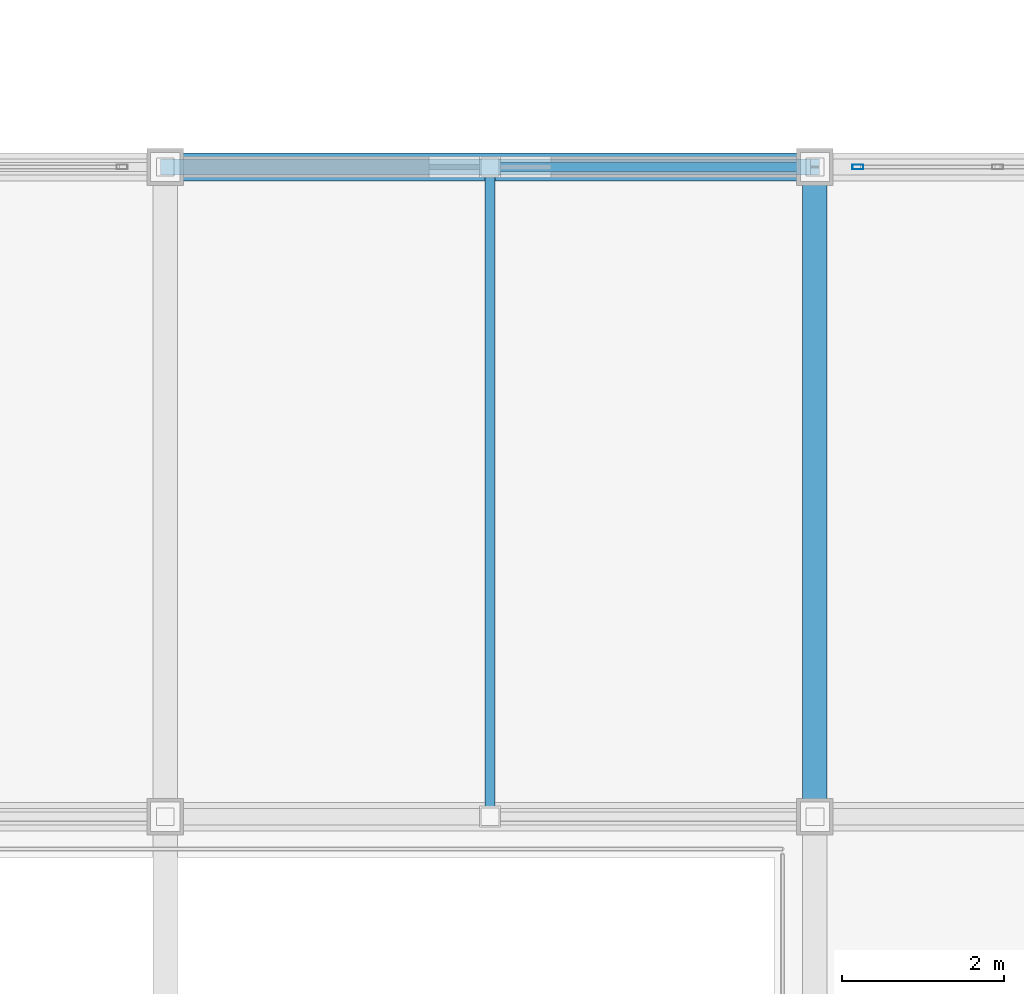
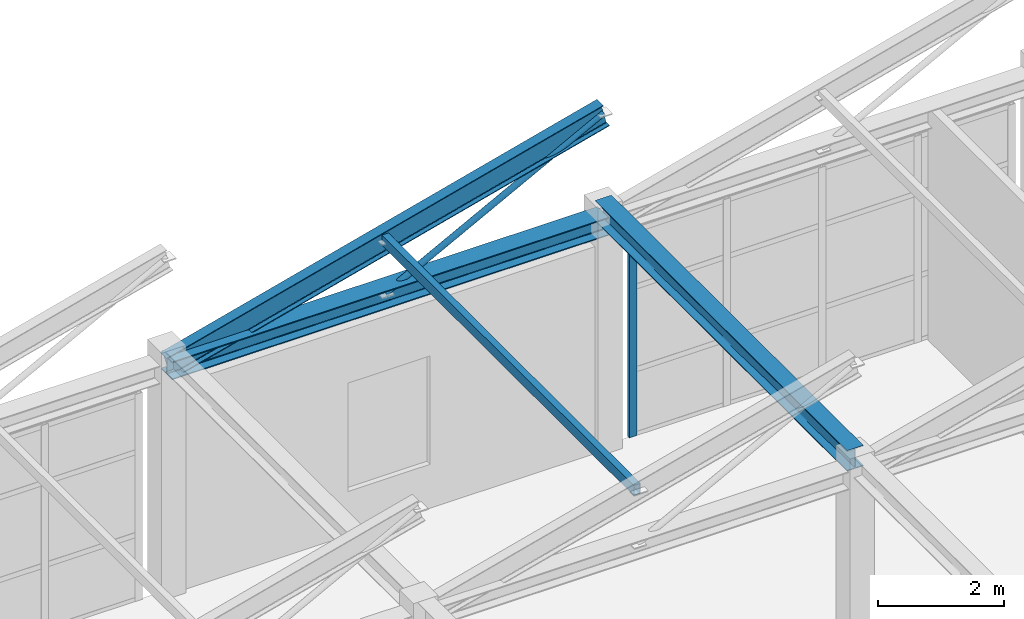
# One storey, part 4 of 63: 4 members, 2 beams, 1 element without a shape of its own.
"""IFC4 building model written with IfcOpenShell, lengths in metres."""

from ifc_helpers import new_model, si_unit, direction, frame, origin, origin_2d, place, context, subcontext, project, spatial, hollow_rectangle, hollow_circle, i_section, extrude, material, layer, layer_set, material_profile, profile_set, type_object, element, aggregate, save


model = new_model("IFC4")

# Units and contexts
model_context = context("Model", 3, precision=1e-05, world=origin(), true_north=direction((0.0, 1.0)))
body_context = subcontext(model_context, "Body", "Model", "MODEL_VIEW")
ifc_project = project(units=[si_unit("LENGTHUNIT", "METRE"), si_unit("AREAUNIT", "SQUARE_METRE"), si_unit("VOLUMEUNIT", "CUBIC_METRE"), si_unit("PLANEANGLEUNIT", "RADIAN"), si_unit("MASSUNIT", "GRAM", prefix="KILO")], contexts=[model_context])

# Site, building, storey
site_placement = place(None, origin())
site = spatial("IfcSite", under=ifc_project, at=site_placement, CompositionType="ELEMENT")
building_placement = place(site_placement, origin())
building = spatial("IfcBuilding", under=site, at=building_placement, Name="Canggui Botanical Conservatory", CompositionType="ELEMENT")
storey_placement = place(building_placement, frame((0.0, 0.0, 10.199951171875)))
storey = spatial("IfcBuildingStorey", under=building, at=storey_placement, Name="L03", CompositionType="ELEMENT", Elevation=10.199951171875)

# Beams
ifc_material_1 = material(Name="Steel Q355B", Category="steel")
ifc_material_profile_1 = material_profile(ifc_material_1, i_section(OverallWidth=0.300048828125, OverallDepth=0.39990234375, WebThickness=0.010009765625, FlangeThickness=0.01611328125, FilletRadius=0.02197265625, at=origin_2d()), Name="HM 400x300x10x16")
ifc_profile_set_1 = profile_set([ifc_material_profile_1], Name="Steel Q355B")
beam_type_1 = type_object("IfcBeamType", Name="BM-GL03", PredefinedType="BEAM", material=ifc_profile_set_1)
beam_1_placement = place(storey_placement, frame((50.0, 26.0, 4.60009765625), z_axis=(0.0, 1.0, 0.0), x_axis=(-1.0, 0.0, 0.0)))
element("IfcBeam", 1, at=beam_1_placement, inside=storey, type_object=beam_type_1, Name="Visitor Clerestory Support Girder 3-3", PredefinedType="BEAM", context=body_context, shape_type="SweptSolid", body=[
    extrude(i_section(OverallWidth=0.300048828125, OverallDepth=0.39990234375, WebThickness=0.010009765625, FlangeThickness=0.01611328125, FilletRadius=0.02197265625, at=origin_2d()), origin(), (0.0, 0.0, 1.0), 8.0),
])
ifc_material_profile_2 = material_profile(ifc_material_1, i_section(OverallWidth=0.199951171875, OverallDepth=0.449951171875, WebThickness=0.009033203125, FlangeThickness=0.013916015625, FilletRadius=0.01806640625, at=origin_2d()), Name="HN 450x200x9x14")
ifc_profile_set_2 = profile_set([ifc_material_profile_2], Name="Steel Q355B")
beam_type_2 = type_object("IfcBeamType", Name="BM-GL07", PredefinedType="BEAM", material=ifc_profile_set_2)
beam_2_placement = place(storey_placement, frame((42.0, 34.0, 4.35009765625), z_axis=(0.967235314575, 0.0, 0.253881559468), x_axis=(0.0, 1.0, 0.0)))
element("IfcBeam", 2, at=beam_2_placement, inside=storey, type_object=beam_type_2, Name="Visitor Sawtooth Steel Rafter 3-Y34", PredefinedType="BEAM", context=body_context, shape_type="SweptSolid", body=[
    extrude(i_section(OverallWidth=0.199951171875, OverallDepth=0.449951171875, WebThickness=0.009033203125, FlangeThickness=0.013916015625, FilletRadius=0.01806640625, at=origin_2d()), origin(), (0.0, 0.0, 1.0), 8.27099609375),
])

# Curtain wall, member
ifc_material_2 = material(Name="Thermally Broken Aluminium", Category="aluminium")
ifc_layer = layer(ifc_material_2, 0.135009765625, Name="Thermally Broken Aluminium", Category="aluminium")
ifc_layer_set = layer_set([ifc_layer], Name="Thermally Broken Aluminium")
curtain_wall_type = type_object("IfcCurtainWallType", Name="CW-STICK-A", PredefinedType="USERDEFINED", material=ifc_layer_set)
curtain_wall_placement = place(storey_placement, origin())
curtain_wall = element("IfcCurtainWall", 3, at=curtain_wall_placement, inside=storey, type_object=curtain_wall_type, Name="Facade Curtain Wall CW-VIS-L03-12", ObjectType="STICK GLAZED WALL", PredefinedType="USERDEFINED")
ifc_material_profile_3 = material_profile(ifc_material_2, hollow_rectangle(XDim=0.06005859375, YDim=0.135009765625, WallThickness=0.00341796875, at=origin_2d()), Name="CWM 60x135x3.5")
ifc_profile_set_3 = profile_set([ifc_material_profile_3], Name="Thermally Broken Aluminium")
member_type_1 = type_object("IfcMemberType", Name="CWM-04", PredefinedType="MULLION", material=ifc_profile_set_3)
member_1_placement = place(storey_placement, frame((50.530029296875, 34.0, 0.0), z_axis=(0.0, 0.0, 1.0), x_axis=(0.0, 1.0, 0.0)))
member_1 = element("IfcMember", 4, at=member_1_placement, type_object=member_type_1, Name="CW-04 mullion 1", PredefinedType="MULLION", context=body_context, shape_type="SweptSolid", body=[
    extrude(hollow_rectangle(XDim=0.06005859375, YDim=0.135009765625, WallThickness=0.00341796875, at=origin_2d()), origin(), (0.0, 0.0, 1.0), 4.010009765625),
])
aggregate(curtain_wall, [member_1])

# Members
ifc_material_profile_4 = material_profile(ifc_material_1, hollow_rectangle(XDim=0.1201171875, YDim=0.199951171875, WallThickness=0.008056640625, at=origin_2d()), Name="RHS 120x200x8")
ifc_profile_set_4 = profile_set([ifc_material_profile_4], Name="Steel Q355B")
member_type_2 = type_object("IfcMemberType", Name="MEM-PUR02", PredefinedType="PURLIN", material=ifc_profile_set_4)
member_2_placement = place(storey_placement, frame((46.0, 26.0, 5.400146484375), z_axis=(0.0, 1.0, 0.0), x_axis=(-1.0, 0.0, 0.0)))
element("IfcMember", 5, at=member_2_placement, inside=storey, type_object=member_type_2, Name="Visitor Sawtooth Roof Purlin 3-3", PredefinedType="PURLIN", context=body_context, shape_type="SweptSolid", body=[
    extrude(hollow_rectangle(XDim=0.1201171875, YDim=0.199951171875, WallThickness=0.008056640625, at=origin_2d()), origin(), (0.0, 0.0, 1.0), 8.0),
])
ifc_material_profile_5 = material_profile(ifc_material_1, i_section(OverallWidth=0.35009765625, OverallDepth=0.35009765625, WebThickness=0.011962890625, FlangeThickness=0.01904296875, FilletRadius=0.02001953125, at=origin_2d()), Name="HW 350x350x12x19")
ifc_profile_set_5 = profile_set([ifc_material_profile_5], Name="Steel Q355B")
member_type_3 = type_object("IfcMemberType", Name="MEM-TC09", PredefinedType="CHORD", material=ifc_profile_set_5)
member_3_placement = place(storey_placement, frame((42.0, 34.0, 4.35009765625), z_axis=(1.0, 0.0, 0.0), x_axis=(0.0, 1.0, 0.0)))
element("IfcMember", 6, at=member_3_placement, inside=storey, type_object=member_type_3, Name="Visitor Sawtooth Truss Tie Chord 3-Y34", PredefinedType="CHORD", context=body_context, shape_type="SweptSolid", body=[
    extrude(i_section(OverallWidth=0.35009765625, OverallDepth=0.35009765625, WebThickness=0.011962890625, FlangeThickness=0.01904296875, FilletRadius=0.02001953125, at=origin_2d()), origin(), (0.0, 0.0, 1.0), 8.0),
])
ifc_material_profile_6 = material_profile(ifc_material_1, hollow_circle(Radius=0.056884765625, WallThickness=0.006103515625, at=origin_2d()), Name="CHS 114x6")
ifc_profile_set_6 = profile_set([ifc_material_profile_6], Name="Steel Q355B")
member_type_4 = type_object("IfcMemberType", Name="MEM-TW03", PredefinedType="BRACE", material=ifc_profile_set_6)
member_4_placement = place(storey_placement, frame((46.0, 34.0, 4.35009765625), z_axis=(0.88541124729, 0.0, 0.464808480099), x_axis=(0.0, 1.0, 0.0)))
element("IfcMember", 7, at=member_4_placement, inside=storey, type_object=member_type_4, Name="Visitor Sawtooth Truss Diagonal 3-Y34", PredefinedType="BRACE", context=body_context, shape_type="SweptSolid", body=[
    extrude(hollow_circle(Radius=0.056884765625, WallThickness=0.006103515625, at=origin_2d()), origin(), (0.0, 0.0, 1.0), 4.517578125),
])

save(model, "model.ifc")
